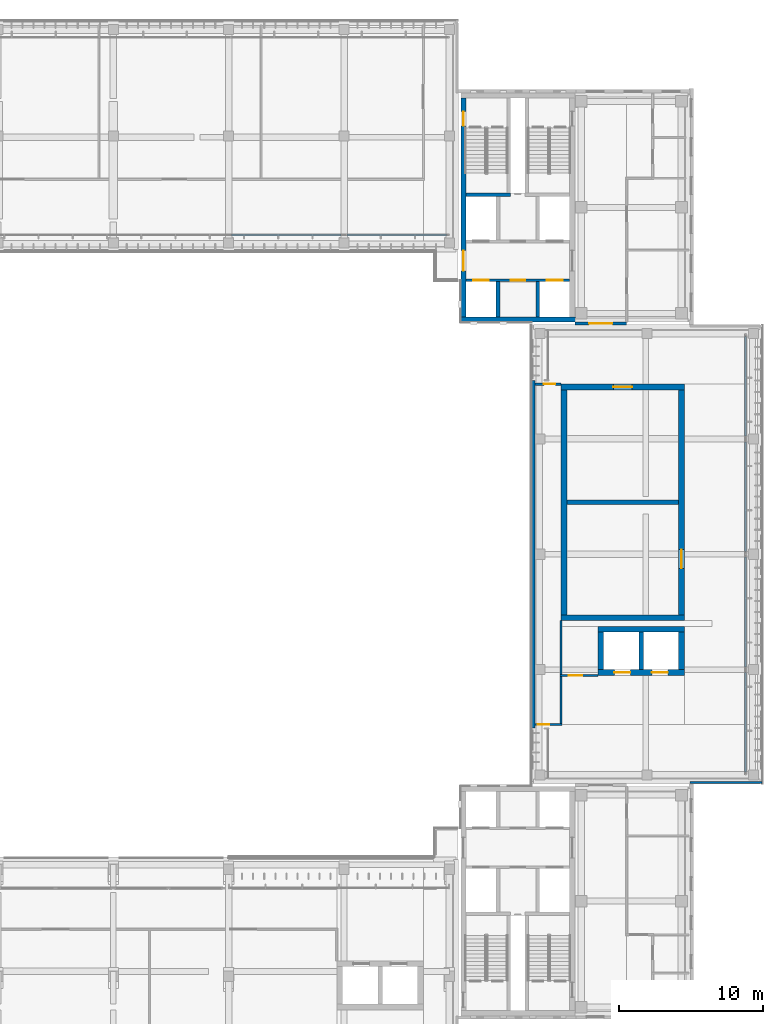
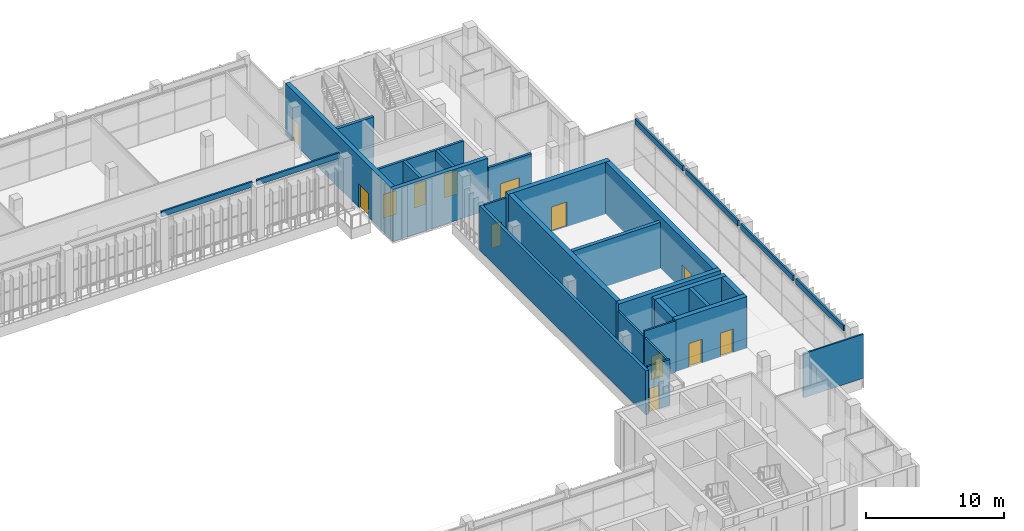
# One storey, part 50 of 73: 29 walls, 13 doors, 13 openings.
"""IFC4 building model written with IfcOpenShell, lengths in metres."""

from ifc_helpers import new_model, si_unit, direction, frame, frame_2d, origin, place, context, subcontext, project, spatial, rectangle, extrude, material, layer, layer_set, type_object, element, fill, save


model = new_model("IFC4")

# Units and contexts
model_context = context("Model", 3, precision=1e-05, world=origin(), true_north=direction((0.0, 1.0)))
body_context = subcontext(model_context, "Body", "Model", "MODEL_VIEW")
ifc_project = project(units=[si_unit("LENGTHUNIT", "METRE"), si_unit("AREAUNIT", "SQUARE_METRE"), si_unit("VOLUMEUNIT", "CUBIC_METRE"), si_unit("PLANEANGLEUNIT", "RADIAN"), si_unit("MASSUNIT", "GRAM", prefix="KILO")], contexts=[model_context])

# Site, building, storey
site_placement = place(None, origin())
site = spatial("IfcSite", under=ifc_project, at=site_placement, CompositionType="ELEMENT")
building_placement = place(site_placement, origin())
building = spatial("IfcBuilding", under=site, at=building_placement, Name="Lantern Court Media Centre", CompositionType="ELEMENT")
storey_placement = place(building_placement, frame((0.0, 0.0, 24.0)))
storey = spatial("IfcBuildingStorey", under=building, at=storey_placement, Name="L05", CompositionType="ELEMENT", Elevation=24.0)

# Wall, openings, doors
ifc_material_1 = material(Name="Concrete C40", Category="concrete")
ifc_layer_1 = layer(ifc_material_1, 0.199951171875)
ifc_layer_set_1 = layer_set([ifc_layer_1], Name="Concrete C40")
wall_type_1 = type_object("IfcWallType", Name="Fire lobby wall 200", PredefinedType="SOLIDWALL", material=ifc_layer_set_1)
wall_1_placement = place(storey_placement, frame((87.64990234375, 99.0, 0.0), z_axis=(0.0, 0.0, 1.0), x_axis=(-1.0, 0.0, 0.0)))
wall_1 = element("IfcWall", 1, at=wall_1_placement, inside=storey, type_object=wall_type_1, Name="L05 NE FW2", PredefinedType="SOLIDWALL", context=body_context, shape_type="SweptSolid", body=[
    extrude(rectangle(XDim=7.199951171875, YDim=0.199951171875, at=frame_2d((3.60009765625, 0.0))), origin(), (0.0, 0.0, 1.0), 4.550048828125),
])
opening_1_placement = place(wall_1_placement, frame((0.5, 0.0, 0.0)))
opening_1 = element("IfcOpeningElement", 2, at=opening_1_placement, cuts=wall_1, Name="Opening LD-NEP2-L05", PredefinedType="OPENING", context=body_context, shape_type="SweptSolid", body=[
    extrude(rectangle(XDim=1.10009765625, YDim=2.10009765625, at=frame_2d((0.550048828125, 1.050048828125))), frame((0.0, 0.10986328125, 0.0), z_axis=(0.0, -1.0, 0.0), x_axis=(1.0, 0.0, 0.0)), (0.0, 0.0, 1.0), 0.219970703125),
])
opening_2_placement = place(wall_1_placement, frame((5.60009765625, 0.0, 0.0)))
opening_2 = element("IfcOpeningElement", 3, at=opening_2_placement, cuts=wall_1, Name="Opening LD-NEP3-L05", PredefinedType="OPENING", context=body_context, shape_type="SweptSolid", body=[
    extrude(rectangle(XDim=1.10009765625, YDim=2.10009765625, at=frame_2d((0.550048828125, 1.050048828125))), frame((0.0, 0.10986328125, 0.0), z_axis=(0.0, -1.0, 0.0), x_axis=(1.0, 0.0, 0.0)), (0.0, 0.0, 1.0), 0.219970703125),
])
opening_3_placement = place(wall_1_placement, frame((3.10009765625, 0.0, 0.0)))
opening_3 = element("IfcOpeningElement", 4, at=opening_3_placement, cuts=wall_1, Name="Opening NE-L05-04", PredefinedType="OPENING", context=body_context, shape_type="SweptSolid", body=[
    extrude(rectangle(XDim=1.0, YDim=2.10009765625, at=frame_2d((0.5, 1.050048828125))), frame((0.0, 0.10986328125, 0.0), z_axis=(0.0, -1.0, 0.0), x_axis=(1.0, 0.0, 0.0)), (0.0, 0.0, 1.0), 0.219970703125),
])
ifc_material_2 = material(Name="Steel door leaf", Category="steel")
door_type_1 = type_object("IfcDoorType", Name="Lift landing door 1100x2100", OperationType="DOUBLE_DOOR_SLIDING", PredefinedType="DOOR", material=ifc_material_2)
door_1_placement = place(opening_1_placement, frame((1.10009765625, 0.0, 0.0), z_axis=(0.0, 0.0, 1.0), x_axis=(-1.0, 0.0, 0.0)))
door_1 = element("IfcDoor", 5, at=door_1_placement, inside=storey, type_object=door_type_1, Name="L05 NE lift P2 landing door", OperationType="DOUBLE_DOOR_SLIDING", OverallHeight=2.10009765625, OverallWidth=1.10009765625, PredefinedType="DOOR", context=body_context, shape_type="SweptSolid", body=[
    extrude(rectangle(XDim=1.10009765625, YDim=2.10009765625, at=frame_2d((0.550048828125, 1.050048828125))), frame((0.0, 0.02490234375, 0.0), z_axis=(0.0, -1.0, 0.0), x_axis=(1.0, 0.0, 0.0)), (0.0, 0.0, 1.0), 0.050048828125),
])
fill(opening_1, door_1)
door_2_placement = place(opening_2_placement, frame((1.10009765625, 0.0, 0.0), z_axis=(0.0, 0.0, 1.0), x_axis=(-1.0, 0.0, 0.0)))
door_2 = element("IfcDoor", 6, at=door_2_placement, inside=storey, type_object=door_type_1, Name="L05 NE lift P3 landing door", OperationType="DOUBLE_DOOR_SLIDING", OverallHeight=2.10009765625, OverallWidth=1.10009765625, PredefinedType="DOOR", context=body_context, shape_type="SweptSolid", body=[
    extrude(rectangle(XDim=1.10009765625, YDim=2.10009765625, at=frame_2d((0.550048828125, 1.050048828125))), frame((0.0, 0.02490234375, 0.0), z_axis=(0.0, -1.0, 0.0), x_axis=(1.0, 0.0, 0.0)), (0.0, 0.0, 1.0), 0.050048828125),
])
fill(opening_2, door_2)
door_type_2 = type_object("IfcDoorType", Name="Service door 1000x2100", OperationType="NOTDEFINED", PredefinedType="DOOR", material=ifc_material_2)
door_3_placement = place(opening_3_placement, frame((1.0, 0.0, 0.0), z_axis=(0.0, 0.0, 1.0), x_axis=(-1.0, 0.0, 0.0)))
door_3 = element("IfcDoor", 7, at=door_3_placement, inside=storey, type_object=door_type_2, Name="L05 NE accessible WC door", OperationType="SINGLE_SWING_RIGHT", OverallHeight=2.10009765625, OverallWidth=1.0, PredefinedType="DOOR", context=body_context, shape_type="SweptSolid", body=[
    extrude(rectangle(XDim=1.0, YDim=2.10009765625, at=frame_2d((0.5, 1.050048828125))), frame((0.0, 0.02490234375, 0.0), z_axis=(0.0, -1.0, 0.0), x_axis=(1.0, 0.0, 0.0)), (0.0, 0.0, 1.0), 0.050048828125),
])
fill(opening_3, door_3)

# Walls
ifc_material_3 = material(Name="Insulated rendered blockwork", Category="masonry")
ifc_layer_2 = layer(ifc_material_3, 0.14990234375)
ifc_layer_set_2 = layer_set([ifc_layer_2], Name="Insulated rendered blockwork")
wall_type_2 = type_object("IfcWallType", Name="Head infill wall 150", PredefinedType="SOLIDWALL", material=ifc_layer_set_2)
wall_2_placement = place(storey_placement, frame((64.199951171875, 102.14990234375, 4.10009765625), z_axis=(0.0, 0.0, 1.0), x_axis=(1.0, 0.0, 0.0)))
element("IfcWall", 8, at=wall_2_placement, inside=storey, type_object=wall_type_2, Name="Head infill wall N inner L05", PredefinedType="SOLIDWALL", context=body_context, shape_type="SweptSolid", body=[
    extrude(rectangle(XDim=7.60009765625, YDim=0.14990234375, at=frame_2d((3.800048828125, 0.0))), origin(), (0.0, 0.0, 1.0), 0.47998046875),
])
for number, where, z_axis, x_axis, name in (
    (9, (72.199951171875, 102.14990234375, 4.10009765625), (0.0, 0.0, 1.0), (1.0, 0.0, 0.0), "Head infill wall N inner L05"),
    (10, (99.85009765625, 64.89990234375, 4.10009765625), (0.0, 0.0, 1.0), (0.0, 1.0, 0.0), "Head infill wall E outer L05"),
):
    element("IfcWall", number, at=place(storey_placement, frame(where, z_axis=z_axis, x_axis=x_axis)), inside=storey, type_object=wall_type_2, Name=name, PredefinedType="SOLIDWALL", context=body_context, shape_type="SweptSolid", body=[
        extrude(rectangle(XDim=6.900146484375, YDim=0.14990234375, at=frame_2d((3.4501953125, 0.0))), origin(), (0.0, 0.0, 1.0), 0.47998046875),
    ])
for number, where, z_axis, x_axis, name in (
    (11, (99.85009765625, 72.199951171875, 4.10009765625), (0.0, 0.0, 1.0), (0.0, 1.0, 0.0), "Head infill wall E outer L05"),
    (12, (99.85009765625, 80.199951171875, 4.10009765625), (0.0, 0.0, 1.0), (0.0, 1.0, 0.0), "Head infill wall E outer L05"),
):
    element("IfcWall", number, at=place(storey_placement, frame(where, z_axis=z_axis, x_axis=x_axis)), inside=storey, type_object=wall_type_2, Name=name, PredefinedType="SOLIDWALL", context=body_context, shape_type="SweptSolid", body=[
        extrude(rectangle(XDim=7.60009765625, YDim=0.14990234375, at=frame_2d((3.800048828125, 0.0))), origin(), (0.0, 0.0, 1.0), 0.47998046875),
    ])
wall_3_placement = place(storey_placement, frame((99.85009765625, 88.199951171875, 4.10009765625), z_axis=(0.0, 0.0, 1.0), x_axis=(0.0, 1.0, 0.0)))
element("IfcWall", 13, at=wall_3_placement, inside=storey, type_object=wall_type_2, Name="Head infill wall E outer L05", PredefinedType="SOLIDWALL", context=body_context, shape_type="SweptSolid", body=[
    extrude(rectangle(XDim=6.900146484375, YDim=0.14990234375, at=frame_2d((3.4501953125, 0.0))), origin(), (0.0, 0.0, 1.0), 0.47998046875),
])
ifc_material_4 = material(Name="Honed limestone cladding on blockwork", Category="masonry")
ifc_layer_3 = layer(ifc_material_4, 0.139892578125)
ifc_layer_set_3 = layer_set([ifc_layer_3], Name="Honed limestone cladding on blockwork")
wall_type_3 = type_object("IfcWallType", Name="Limestone closure wall 140", PredefinedType="SOLIDWALL", material=ifc_layer_set_3)
wall_4_placement = place(storey_placement, frame((96.0, 64.169921875, 0.0), z_axis=(0.0, 0.0, 1.0), x_axis=(1.0, 0.0, 0.0)))
element("IfcWall", 14, at=wall_4_placement, inside=storey, type_object=wall_type_3, Name="Limestone closure wall E-SE L05", PredefinedType="SOLIDWALL", context=body_context, shape_type="SweptSolid", body=[
    extrude(rectangle(XDim=5.0, YDim=0.139892578125, at=frame_2d((2.5, 0.0))), origin(), (0.0, 0.0, 1.0), 3.89990234375),
])
ifc_layer_4 = layer(ifc_material_4, 0.25)
ifc_layer_set_4 = layer_set([ifc_layer_4], Name="Honed limestone cladding on blockwork")
wall_type_4 = type_object("IfcWallType", Name="Limestone flank wall 250", PredefinedType="SOLIDWALL", material=ifc_layer_set_4)
wall_5_placement = place(storey_placement, frame((85.125, 67.949951171875, 0.0), z_axis=(0.0, 0.0, 1.0), x_axis=(0.0, 1.0, 0.0)))
element("IfcWall", 15, at=wall_5_placement, inside=storey, type_object=wall_type_4, Name="Limestone flank wall E inner L05", PredefinedType="SOLIDWALL", context=body_context, shape_type="SweptSolid", body=[
    extrude(rectangle(XDim=24.10009765625, YDim=0.25, at=frame_2d((12.050048828125, 0.0))), origin(), (0.0, 0.0, 1.0), 3.89990234375),
])

# Wall, opening, door
ifc_material_5 = material(Name="Fire-rated gypsum board")
ifc_layer_5 = layer(ifc_material_5, 0.199951171875)
ifc_layer_set_5 = layer_set([ifc_layer_5], Name="Fire-rated gypsum board")
wall_type_5 = type_object("IfcWallType", Name="Movement-joint compartment wall 200", PredefinedType="PARTITIONING", material=ifc_layer_set_5)
wall_6_placement = place(storey_placement, frame((88.0, 96.0, 0.0), z_axis=(0.0, 0.0, 1.0), x_axis=(1.0, 0.0, 0.0)))
wall_6 = element("IfcWall", 16, at=wall_6_placement, inside=storey, type_object=wall_type_5, Name="L05 movement-joint wall 22", PredefinedType="PARTITIONING", context=body_context, shape_type="SweptSolid", body=[
    extrude(rectangle(XDim=3.60009765625, YDim=0.199951171875, at=frame_2d((1.800048828125, 0.0))), origin(), (0.0, 0.0, 1.0), 3.8798828125),
])
opening_4_placement = place(wall_6_placement, frame((1.0, 0.0, 0.0)))
opening_4 = element("IfcOpeningElement", 17, at=opening_4_placement, cuts=wall_6, Name="Opening L05-J22", PredefinedType="OPENING", context=body_context, shape_type="SweptSolid", body=[
    extrude(rectangle(XDim=1.60009765625, YDim=2.10009765625, at=frame_2d((0.800048828125, 1.050048828125))), frame((0.0, 0.10986328125, 0.0), z_axis=(0.0, -1.0, 0.0), x_axis=(1.0, 0.0, 0.0)), (0.0, 0.0, 1.0), 0.219970703125),
])
door_type_3 = type_object("IfcDoorType", Name="Movement-joint fire door pair 1600x2100", OperationType="NOTDEFINED", PredefinedType="DOOR", material=ifc_material_2)
door_4_placement = place(opening_4_placement, origin())
door_4 = element("IfcDoor", 18, at=door_4_placement, inside=storey, type_object=door_type_3, Name="L05 bar end lobby door 22", OperationType="DOUBLE_DOOR_SINGLE_SWING", OverallHeight=2.10009765625, OverallWidth=1.60009765625, PredefinedType="DOOR", context=body_context, shape_type="SweptSolid", body=[
    extrude(rectangle(XDim=1.60009765625, YDim=2.10009765625, at=frame_2d((0.800048828125, 1.050048828125))), frame((0.0, 0.02490234375, 0.0), z_axis=(0.0, -1.0, 0.0), x_axis=(1.0, 0.0, 0.0)), (0.0, 0.0, 1.0), 0.050048828125),
])
fill(opening_4, door_4)

ifc_material_6 = material(Name="Concrete blockwork C20", Category="masonry")
ifc_layer_6 = layer(ifc_material_6, 0.14990234375)
ifc_layer_set_6 = layer_set([ifc_layer_6], Name="Concrete blockwork C20")
wall_type_6 = type_object("IfcWallType", Name="Partition 150 masonry", PredefinedType="PARTITIONING", material=ifc_layer_set_6)
wall_7_placement = place(storey_placement, frame((86.969970703125, 71.60009765625, 0.0), z_axis=(0.0, 0.0, 1.0), x_axis=(1.0, 0.0, 0.0)))
wall_7 = element("IfcWall", 19, at=wall_7_placement, inside=storey, type_object=wall_type_6, Name="L05 partition 022", PredefinedType="PARTITIONING", context=body_context, shape_type="SweptSolid", body=[
    extrude(rectangle(XDim=2.625, YDim=0.14990234375, at=frame_2d((1.3125, 0.0))), origin(), (0.0, 0.0, 1.0), 4.56005859375),
])
opening_5_placement = place(wall_7_placement, frame((0.60498046875, 0.0, 0.0)))
opening_5 = element("IfcOpeningElement", 20, at=opening_5_placement, cuts=wall_7, Name="Opening L05-010", PredefinedType="OPENING", context=body_context, shape_type="SweptSolid", body=[
    extrude(rectangle(XDim=0.949951171875, YDim=2.10009765625, at=frame_2d((0.47509765625, 1.050048828125))), frame((0.0, 0.0849609375, 0.0), z_axis=(0.0, -1.0, 0.0), x_axis=(1.0, 0.0, 0.0)), (0.0, 0.0, 1.0), 0.169921875),
])
ifc_material_7 = material(Name="Solid-core timber door leaf", Category="wood")
door_type_4 = type_object("IfcDoorType", Name="Accessible WC door 950x2100", OperationType="NOTDEFINED", PredefinedType="DOOR", material=ifc_material_7)
door_5_placement = place(opening_5_placement, origin())
door_5 = element("IfcDoor", 21, at=door_5_placement, inside=storey, type_object=door_type_4, Name="L05 Accessible WC door", OperationType="SINGLE_SWING_LEFT", OverallHeight=2.10009765625, OverallWidth=0.949951171875, PredefinedType="DOOR", context=body_context, shape_type="SweptSolid", body=[
    extrude(rectangle(XDim=0.949951171875, YDim=2.10009765625, at=frame_2d((0.47509765625, 1.050048828125))), frame((0.0, 0.02490234375, 0.0), z_axis=(0.0, -1.0, 0.0), x_axis=(1.0, 0.0, 0.0)), (0.0, 0.0, 1.0), 0.050048828125),
])
fill(opening_5, door_5)

# Wall
ifc_layer_7 = layer(ifc_material_1, 0.35009765625)
ifc_layer_set_7 = layer_set([ifc_layer_7], Name="Concrete C40")
wall_type_7 = type_object("IfcWallType", Name="RC CORE WALL 350", PredefinedType="SHEAR", material=ifc_layer_set_7)
wall_8_placement = place(storey_placement, frame((80.10009765625, 96.27490234375, 0.0), z_axis=(0.0, 0.0, 1.0), x_axis=(1.0, 0.0, 0.0)))
element("IfcWall", 22, at=wall_8_placement, inside=storey, type_object=wall_type_7, Name="WC-NE-L05-S", PredefinedType="SHEAR", context=body_context, shape_type="SweptSolid", body=[
    extrude(rectangle(XDim=7.949951171875, YDim=0.35009765625, at=frame_2d((3.97509765625, 0.0))), origin(), (0.0, 0.0, 1.0), 4.580078125),
])

# Wall, openings, doors
wall_9_placement = place(storey_placement, frame((80.27490234375, 96.449951171875, 0.0), z_axis=(0.0, 0.0, 1.0), x_axis=(0.0, 1.0, 0.0)))
wall_9 = element("IfcWall", 23, at=wall_9_placement, inside=storey, type_object=wall_type_7, Name="WC-NE-L05-W", PredefinedType="SHEAR", context=body_context, shape_type="SweptSolid", body=[
    extrude(rectangle(XDim=15.199951171875, YDim=0.35009765625, at=frame_2d((7.60009765625, 0.0))), origin(), (0.0, 0.0, 1.0), 4.580078125),
])
opening_6_placement = place(wall_9_placement, frame((13.25, 0.0, 0.0)))
opening_6 = element("IfcOpeningElement", 24, at=opening_6_placement, cuts=wall_9, Name="Opening NE-L05-02", PredefinedType="OPENING", context=body_context, shape_type="SweptSolid", body=[
    extrude(rectangle(XDim=1.0, YDim=2.10009765625, at=frame_2d((0.5, 1.050048828125))), frame((0.0, 0.18505859375, 0.0), z_axis=(0.0, -1.0, 0.0), x_axis=(1.0, 0.0, 0.0)), (0.0, 0.0, 1.0), 0.3701171875),
])
opening_7_placement = place(wall_9_placement, frame((3.199951171875, 0.0, 0.0)))
opening_7 = element("IfcOpeningElement", 25, at=opening_7_placement, cuts=wall_9, Name="Opening NE-L05-06", PredefinedType="OPENING", context=body_context, shape_type="SweptSolid", body=[
    extrude(rectangle(XDim=1.39990234375, YDim=2.10009765625, at=frame_2d((0.699951171875, 1.050048828125))), frame((0.0, 0.18505859375, 0.0), z_axis=(0.0, -1.0, 0.0), x_axis=(1.0, 0.0, 0.0)), (0.0, 0.0, 1.0), 0.3701171875),
])
door_type_5 = type_object("IfcDoorType", Name="Lift lobby double door 1400x2100", OperationType="NOTDEFINED", PredefinedType="DOOR", material=ifc_material_2)
door_6_placement = place(opening_7_placement, origin())
door_6 = element("IfcDoor", 26, at=door_6_placement, inside=storey, type_object=door_type_5, Name="L05 NE lift lobby east door", OperationType="SINGLE_SWING_RIGHT", OverallHeight=2.10009765625, OverallWidth=1.39990234375, PredefinedType="DOOR", context=body_context, shape_type="SweptSolid", body=[
    extrude(rectangle(XDim=1.39990234375, YDim=2.10009765625, at=frame_2d((0.699951171875, 1.050048828125))), frame((0.0, 0.02490234375, 0.0), z_axis=(0.0, -1.0, 0.0), x_axis=(1.0, 0.0, 0.0)), (0.0, 0.0, 1.0), 0.050048828125),
])
fill(opening_7, door_6)
door_type_6 = type_object("IfcDoorType", Name="Stair door 1000x2100", OperationType="NOTDEFINED", PredefinedType="DOOR", material=ifc_material_2)
door_7_placement = place(opening_6_placement, origin())
door_7 = element("IfcDoor", 27, at=door_7_placement, inside=storey, type_object=door_type_6, Name="L05 NE stair B door", OperationType="SINGLE_SWING_RIGHT", OverallHeight=2.10009765625, OverallWidth=1.0, PredefinedType="DOOR", context=body_context, shape_type="SweptSolid", body=[
    extrude(rectangle(XDim=1.0, YDim=2.10009765625, at=frame_2d((0.5, 1.050048828125))), frame((0.0, 0.02490234375, 0.0), z_axis=(0.0, -1.0, 0.0), x_axis=(1.0, 0.0, 0.0)), (0.0, 0.0, 1.0), 0.050048828125),
])
fill(opening_6, door_7)

# Wall
ifc_layer_8 = layer(ifc_material_1, 0.300048828125)
ifc_layer_set_8 = layer_set([ifc_layer_8], Name="Concrete C40")
wall_type_8 = type_object("IfcWallType", Name="RC SHEAR WALL 300", PredefinedType="SHEAR", material=ifc_layer_set_8)
wall_10_placement = place(storey_placement, frame((92.60009765625, 72.0, 0.0), z_axis=(0.0, 0.0, 1.0), x_axis=(0.0, 1.0, 0.0)))
element("IfcWall", 28, at=wall_10_placement, inside=storey, type_object=wall_type_8, Name="WB-E-LC-L05-D", PredefinedType="SHEAR", context=body_context, shape_type="SweptSolid", body=[
    extrude(rectangle(XDim=2.60009765625, YDim=0.300048828125, at=frame_2d((1.300048828125, 0.0))), origin(), (0.0, 0.0, 1.0), 4.580078125),
])

# Wall, openings, doors
ifc_layer_9 = layer(ifc_material_1, 0.39990234375)
ifc_layer_set_9 = layer_set([ifc_layer_9], Name="Concrete C40")
wall_type_9 = type_object("IfcWallType", Name="RC SHEAR WALL 400", PredefinedType="SHEAR", material=ifc_layer_set_9)
wall_11_placement = place(storey_placement, frame((89.60009765625, 71.800048828125, 0.0), z_axis=(0.0, 0.0, 1.0), x_axis=(1.0, 0.0, 0.0)))
wall_11 = element("IfcWall", 29, at=wall_11_placement, inside=storey, type_object=wall_type_9, Name="WB-E-LC-L05-S", PredefinedType="SHEAR", context=body_context, shape_type="SweptSolid", body=[
    extrude(rectangle(XDim=6.0, YDim=0.39990234375, at=frame_2d((3.0, 0.0))), origin(), (0.0, 0.0, 1.0), 4.580078125),
])
opening_8_placement = place(wall_11_placement, frame((1.14990234375, 0.0, 0.0)))
opening_8 = element("IfcOpeningElement", 30, at=opening_8_placement, cuts=wall_11, Name="Opening LD-E-LCP-L05", PredefinedType="OPENING", context=body_context, shape_type="SweptSolid", body=[
    extrude(rectangle(XDim=1.10009765625, YDim=2.10009765625, at=frame_2d((0.550048828125, 1.050048828125))), frame((0.0, 0.2099609375, 0.0), z_axis=(0.0, -1.0, 0.0), x_axis=(1.0, 0.0, 0.0)), (0.0, 0.0, 1.0), 0.419921875),
])
opening_9_placement = place(wall_11_placement, frame((3.75, 0.0, 0.0)))
opening_9 = element("IfcOpeningElement", 31, at=opening_9_placement, cuts=wall_11, Name="Opening LD-E-LCS-L05", PredefinedType="OPENING", context=body_context, shape_type="SweptSolid", body=[
    extrude(rectangle(XDim=1.10009765625, YDim=2.10009765625, at=frame_2d((0.550048828125, 1.050048828125))), frame((0.0, 0.2099609375, 0.0), z_axis=(0.0, -1.0, 0.0), x_axis=(1.0, 0.0, 0.0)), (0.0, 0.0, 1.0), 0.419921875),
])
door_8_placement = place(opening_8_placement, frame((1.10009765625, 0.0, 0.0), z_axis=(0.0, 0.0, 1.0), x_axis=(-1.0, 0.0, 0.0)))
door_8 = element("IfcDoor", 32, at=door_8_placement, inside=storey, type_object=door_type_1, Name="L05 E-LC passenger lift landing door", OperationType="DOUBLE_DOOR_SLIDING", OverallHeight=2.10009765625, OverallWidth=1.10009765625, PredefinedType="DOOR", context=body_context, shape_type="SweptSolid", body=[
    extrude(rectangle(XDim=1.10009765625, YDim=2.10009765625, at=frame_2d((0.550048828125, 1.050048828125))), frame((0.0, 0.02490234375, 0.0), z_axis=(0.0, -1.0, 0.0), x_axis=(1.0, 0.0, 0.0)), (0.0, 0.0, 1.0), 0.050048828125),
])
fill(opening_8, door_8)
door_9_placement = place(opening_9_placement, frame((1.10009765625, 0.0, 0.0), z_axis=(0.0, 0.0, 1.0), x_axis=(-1.0, 0.0, 0.0)))
door_9 = element("IfcDoor", 33, at=door_9_placement, inside=storey, type_object=door_type_1, Name="L05 E-LC service lift landing door", OperationType="DOUBLE_DOOR_SLIDING", OverallHeight=2.10009765625, OverallWidth=1.10009765625, PredefinedType="DOOR", context=body_context, shape_type="SweptSolid", body=[
    extrude(rectangle(XDim=1.10009765625, YDim=2.10009765625, at=frame_2d((0.550048828125, 1.050048828125))), frame((0.0, 0.02490234375, 0.0), z_axis=(0.0, -1.0, 0.0), x_axis=(1.0, 0.0, 0.0)), (0.0, 0.0, 1.0), 0.050048828125),
])
fill(opening_9, door_9)

# Walls
wall_12_placement = place(storey_placement, frame((89.60009765625, 74.800048828125, 0.0), z_axis=(0.0, 0.0, 1.0), x_axis=(1.0, 0.0, 0.0)))
element("IfcWall", 34, at=wall_12_placement, inside=storey, type_object=wall_type_9, Name="WB-E-LC-L05-N", PredefinedType="SHEAR", context=body_context, shape_type="SweptSolid", body=[
    extrude(rectangle(XDim=6.0, YDim=0.39990234375, at=frame_2d((3.0, 0.0))), origin(), (0.0, 0.0, 1.0), 4.580078125),
])
for number, where, z_axis, x_axis, name in (
    (35, (89.800048828125, 72.0, 0.0), (0.0, 0.0, 1.0), (0.0, 1.0, 0.0), "WB-E-LC-L05-W"),
    (36, (95.39990234375, 72.0, 0.0), (0.0, 0.0, 1.0), (0.0, 1.0, 0.0), "WB-E-LC-L05-E"),
):
    element("IfcWall", number, at=place(storey_placement, frame(where, z_axis=z_axis, x_axis=x_axis)), inside=storey, type_object=wall_type_9, Name=name, PredefinedType="SHEAR", context=body_context, shape_type="SweptSolid", body=[
        extrude(rectangle(XDim=2.60009765625, YDim=0.39990234375, at=frame_2d((1.300048828125, 0.0))), origin(), (0.0, 0.0, 1.0), 4.580078125),
    ])
wall_13_placement = place(storey_placement, frame((87.050048828125, 75.60009765625, 0.0), z_axis=(0.0, 0.0, 1.0), x_axis=(1.0, 0.0, 0.0)))
element("IfcWall", 37, at=wall_13_placement, inside=storey, type_object=wall_type_9, Name="WB-E-MCR-L05-S", PredefinedType="SHEAR", context=body_context, shape_type="SweptSolid", body=[
    extrude(rectangle(XDim=8.550048828125, YDim=0.39990234375, at=frame_2d((4.27490234375, 0.0))), origin(), (0.0, 0.0, 1.0), 4.580078125),
])

# Wall, opening, door
wall_14_placement = place(storey_placement, frame((87.050048828125, 91.60009765625, 0.0), z_axis=(0.0, 0.0, 1.0), x_axis=(1.0, 0.0, 0.0)))
wall_14 = element("IfcWall", 38, at=wall_14_placement, inside=storey, type_object=wall_type_9, Name="WB-E-MCR-L05-N", PredefinedType="SHEAR", context=body_context, shape_type="SweptSolid", body=[
    extrude(rectangle(XDim=8.550048828125, YDim=0.39990234375, at=frame_2d((4.27490234375, 0.0))), origin(), (0.0, 0.0, 1.0), 4.580078125),
])
opening_10_placement = place(wall_14_placement, frame((3.625, 0.0, 0.0)))
opening_10 = element("IfcOpeningElement", 39, at=opening_10_placement, cuts=wall_14, Name="Opening L05-013", PredefinedType="OPENING", context=body_context, shape_type="SweptSolid", body=[
    extrude(rectangle(XDim=1.300048828125, YDim=2.199951171875, at=frame_2d((0.64990234375, 1.10009765625))), frame((0.0, 0.2099609375, 0.0), z_axis=(0.0, -1.0, 0.0), x_axis=(1.0, 0.0, 0.0)), (0.0, 0.0, 1.0), 0.419921875),
])
ifc_material_8 = material(Name="Acoustic timber door leaf", Category="wood")
door_type_7 = type_object("IfcDoorType", Name="Control room sound-lock door 1300x2200", OperationType="NOTDEFINED", PredefinedType="DOOR", material=ifc_material_8)
door_10_placement = place(opening_10_placement, frame((1.300048828125, 0.0, 0.0), z_axis=(0.0, 0.0, 1.0), x_axis=(-1.0, 0.0, 0.0)))
door_10 = element("IfcDoor", 40, at=door_10_placement, inside=storey, type_object=door_type_7, Name="L05 Technical Operations Room door", OperationType="SINGLE_SWING_RIGHT", OverallHeight=2.199951171875, OverallWidth=1.300048828125, PredefinedType="DOOR", context=body_context, shape_type="SweptSolid", body=[
    extrude(rectangle(XDim=1.300048828125, YDim=2.199951171875, at=frame_2d((0.64990234375, 1.10009765625))), frame((0.0, 0.02490234375, 0.0), z_axis=(0.0, -1.0, 0.0), x_axis=(1.0, 0.0, 0.0)), (0.0, 0.0, 1.0), 0.050048828125),
])
fill(opening_10, door_10)

# Wall
wall_15_placement = place(storey_placement, frame((87.25, 75.800048828125, 0.0), z_axis=(0.0, 0.0, 1.0), x_axis=(0.0, 1.0, 0.0)))
element("IfcWall", 41, at=wall_15_placement, inside=storey, type_object=wall_type_9, Name="WB-E-MCR-L05-W", PredefinedType="SHEAR", context=body_context, shape_type="SweptSolid", body=[
    extrude(rectangle(XDim=15.599853515625, YDim=0.39990234375, at=frame_2d((7.7998046875, 0.0))), origin(), (0.0, 0.0, 1.0), 4.580078125),
])

# Wall, opening, door
wall_16_placement = place(storey_placement, frame((95.39990234375, 75.800048828125, 0.0), z_axis=(0.0, 0.0, 1.0), x_axis=(0.0, 1.0, 0.0)))
wall_16 = element("IfcWall", 42, at=wall_16_placement, inside=storey, type_object=wall_type_9, Name="WB-E-MCR-L05-E", PredefinedType="SHEAR", context=body_context, shape_type="SweptSolid", body=[
    extrude(rectangle(XDim=15.599853515625, YDim=0.39990234375, at=frame_2d((7.7998046875, 0.0))), origin(), (0.0, 0.0, 1.0), 4.580078125),
])
opening_11_placement = place(wall_16_placement, frame((3.22265625, 0.0, 0.0)))
opening_11 = element("IfcOpeningElement", 43, at=opening_11_placement, cuts=wall_16, Name="Opening L05-012", PredefinedType="OPENING", context=body_context, shape_type="SweptSolid", body=[
    extrude(rectangle(XDim=1.300048828125, YDim=2.199951171875, at=frame_2d((0.64990234375, 1.10009765625))), frame((0.0, 0.2099609375, 0.0), z_axis=(0.0, -1.0, 0.0), x_axis=(1.0, 0.0, 0.0)), (0.0, 0.0, 1.0), 0.419921875),
])
door_11_placement = place(opening_11_placement, origin())
door_11 = element("IfcDoor", 44, at=door_11_placement, inside=storey, type_object=door_type_7, Name="L05 Master Control Room door", OperationType="SINGLE_SWING_LEFT", OverallHeight=2.199951171875, OverallWidth=1.300048828125, PredefinedType="DOOR", context=body_context, shape_type="SweptSolid", body=[
    extrude(rectangle(XDim=1.300048828125, YDim=2.199951171875, at=frame_2d((0.64990234375, 1.10009765625))), frame((0.0, 0.02490234375, 0.0), z_axis=(0.0, -1.0, 0.0), x_axis=(1.0, 0.0, 0.0)), (0.0, 0.0, 1.0), 0.050048828125),
])
fill(opening_11, door_11)

# Walls
ifc_layer_10 = layer(ifc_material_1, 0.25)
ifc_layer_set_10 = layer_set([ifc_layer_10], Name="Concrete C40")
wall_type_10 = type_object("IfcWallType", Name="RC lift shaft wall 250", PredefinedType="SOLIDWALL", material=ifc_layer_set_10)
for number, where, z_axis, x_axis, name in (
    (45, (85.425048828125, 98.89990234375, 0.0), (0.0, 0.0, 1.0), (0.0, -1.0, 0.0), "L05 NE L1b"),
    (46, (82.675048828125, 98.89990234375, 0.0), (0.0, 0.0, 1.0), (0.0, -1.0, 0.0), "L05 NE L2b"),
):
    element("IfcWall", number, at=place(storey_placement, frame(where, z_axis=z_axis, x_axis=x_axis)), inside=storey, type_object=wall_type_10, Name=name, PredefinedType="SOLIDWALL", context=body_context, shape_type="SweptSolid", body=[
        extrude(rectangle(XDim=2.449951171875, YDim=0.25, at=frame_2d((1.22509765625, 0.0))), origin(), (0.0, 0.0, 1.0), 4.550048828125),
    ])
ifc_layer_11 = layer(ifc_material_1, 0.25)
ifc_layer_set_11 = layer_set([ifc_layer_11], Name="Concrete C40")
wall_type_11 = type_object("IfcWallType", Name="RC stair shaft wall 250", PredefinedType="SOLIDWALL", material=ifc_layer_set_11)
wall_17_placement = place(storey_placement, frame((83.550048828125, 104.925048828125, 0.0), z_axis=(0.0, 0.0, 1.0), x_axis=(-1.0, 0.0, 0.0)))
element("IfcWall", 47, at=wall_17_placement, inside=storey, type_object=wall_type_11, Name="L05 NE SN2", PredefinedType="SOLIDWALL", context=body_context, shape_type="SweptSolid", body=[
    extrude(rectangle(XDim=3.10009765625, YDim=0.25, at=frame_2d((1.550048828125, 0.0))), origin(), (0.0, 0.0, 1.0), 4.550048828125),
])
ifc_material_9 = material(Name="Acoustic gypsum board")
ifc_layer_12 = layer(ifc_material_9, 0.300048828125)
ifc_layer_set_12 = layer_set([ifc_layer_12], Name="Acoustic gypsum board")
wall_type_12 = type_object("IfcWallType", Name="Recording studio acoustic partition 300", PredefinedType="PARTITIONING", material=ifc_layer_set_12)
wall_18_placement = place(storey_placement, frame((87.455078125, 83.60009765625, 0.0), z_axis=(0.0, 0.0, 1.0), x_axis=(1.0, 0.0, 0.0)))
element("IfcWall", 48, at=wall_18_placement, inside=storey, type_object=wall_type_12, Name="L05 partition 024", PredefinedType="PARTITIONING", context=body_context, shape_type="SweptSolid", body=[
    extrude(rectangle(XDim=7.739990234375, YDim=0.300048828125, at=frame_2d((3.8701171875, 0.0))), origin(), (0.0, 0.0, 1.0), 4.080078125),
])

# Wall, opening, door
ifc_layer_13 = layer(ifc_material_5, 0.159912109375)
ifc_layer_set_13 = layer_set([ifc_layer_13], Name="Fire-rated gypsum board")
wall_type_13 = type_object("IfcWallType", Name="Riser shaft liner wall 160", PredefinedType="PARTITIONING", material=ifc_layer_set_13)
wall_19_placement = place(storey_placement, frame((85.25, 68.199951171875, 0.0), z_axis=(0.0, 0.0, 1.0), x_axis=(1.0, 0.0, 0.0)))
wall_19 = element("IfcWall", 49, at=wall_19_placement, inside=storey, type_object=wall_type_13, Name="L05 partition 016", PredefinedType="PARTITIONING", context=body_context, shape_type="SweptSolid", body=[
    extrude(rectangle(XDim=1.8798828125, YDim=0.159912109375, at=frame_2d((0.93994140625, 0.0))), origin(), (0.0, 0.0, 1.0), 4.080078125),
])
opening_12_placement = place(wall_19_placement, frame((0.183349609375, 0.0, 0.0)))
opening_12 = element("IfcOpeningElement", 50, at=opening_12_placement, cuts=wall_19, Name="Opening L05-011", PredefinedType="OPENING", context=body_context, shape_type="SweptSolid", body=[
    extrude(rectangle(XDim=0.800048828125, YDim=2.10009765625, at=frame_2d((0.39990234375, 1.050048828125))), frame((0.0, 0.08984375, 0.0), z_axis=(0.0, -1.0, 0.0), x_axis=(1.0, 0.0, 0.0)), (0.0, 0.0, 1.0), 0.179931640625),
])
door_type_8 = type_object("IfcDoorType", Name="Riser access fire door 800x2100", OperationType="NOTDEFINED", PredefinedType="DOOR", material=ifc_material_2)
door_12_placement = place(opening_12_placement, origin())
door_12 = element("IfcDoor", 51, at=door_12_placement, inside=storey, type_object=door_type_8, Name="L05 Services Duct door", OperationType="SINGLE_SWING_RIGHT", OverallHeight=2.10009765625, OverallWidth=0.800048828125, PredefinedType="DOOR", context=body_context, shape_type="SweptSolid", body=[
    extrude(rectangle(XDim=0.800048828125, YDim=2.10009765625, at=frame_2d((0.39990234375, 1.050048828125))), frame((0.0, 0.02490234375, 0.0), z_axis=(0.0, -1.0, 0.0), x_axis=(1.0, 0.0, 0.0)), (0.0, 0.0, 1.0), 0.050048828125),
])
fill(opening_12, door_12)

wall_20_placement = place(storey_placement, frame((85.25, 91.800048828125, 0.0), z_axis=(0.0, 0.0, 1.0), x_axis=(1.0, 0.0, 0.0)))
wall_20 = element("IfcWall", 52, at=wall_20_placement, inside=storey, type_object=wall_type_13, Name="L05 partition 018", PredefinedType="PARTITIONING", context=body_context, shape_type="SweptSolid", body=[
    extrude(rectangle(XDim=1.794921875, YDim=0.159912109375, at=frame_2d((0.8974609375, 0.0))), origin(), (0.0, 0.0, 1.0), 4.080078125),
])
opening_13_placement = place(wall_20_placement, frame((0.6044921875, 0.0, 0.0)))
opening_13 = element("IfcOpeningElement", 53, at=opening_13_placement, cuts=wall_20, Name="Opening L05-014", PredefinedType="OPENING", context=body_context, shape_type="SweptSolid", body=[
    extrude(rectangle(XDim=0.800048828125, YDim=2.10009765625, at=frame_2d((0.39990234375, 1.050048828125))), frame((0.0, 0.08984375, 0.0), z_axis=(0.0, -1.0, 0.0), x_axis=(1.0, 0.0, 0.0)), (0.0, 0.0, 1.0), 0.179931640625),
])
door_13_placement = place(opening_13_placement, frame((0.800048828125, 0.0, 0.0), z_axis=(0.0, 0.0, 1.0), x_axis=(-1.0, 0.0, 0.0)))
door_13 = element("IfcDoor", 54, at=door_13_placement, inside=storey, type_object=door_type_8, Name="L05 Services Duct door", OperationType="SINGLE_SWING_LEFT", OverallHeight=2.10009765625, OverallWidth=0.800048828125, PredefinedType="DOOR", context=body_context, shape_type="SweptSolid", body=[
    extrude(rectangle(XDim=0.800048828125, YDim=2.10009765625, at=frame_2d((0.39990234375, 1.050048828125))), frame((0.0, 0.02490234375, 0.0), z_axis=(0.0, -1.0, 0.0), x_axis=(1.0, 0.0, 0.0)), (0.0, 0.0, 1.0), 0.050048828125),
])
fill(opening_13, door_13)

# Wall
wall_21_placement = place(storey_placement, frame((87.050048828125, 68.280029296875, 0.0), z_axis=(0.0, 0.0, 1.0), x_axis=(0.0, 1.0, 0.0)))
element("IfcWall", 55, at=wall_21_placement, inside=storey, type_object=wall_type_13, Name="L05 partition 023", PredefinedType="PARTITIONING", context=body_context, shape_type="SweptSolid", body=[
    extrude(rectangle(XDim=7.119873046875, YDim=0.159912109375, at=frame_2d((3.56005859375, 0.0))), origin(), (0.0, 0.0, 1.0), 3.97998046875),
])

save(model, "model.ifc")
